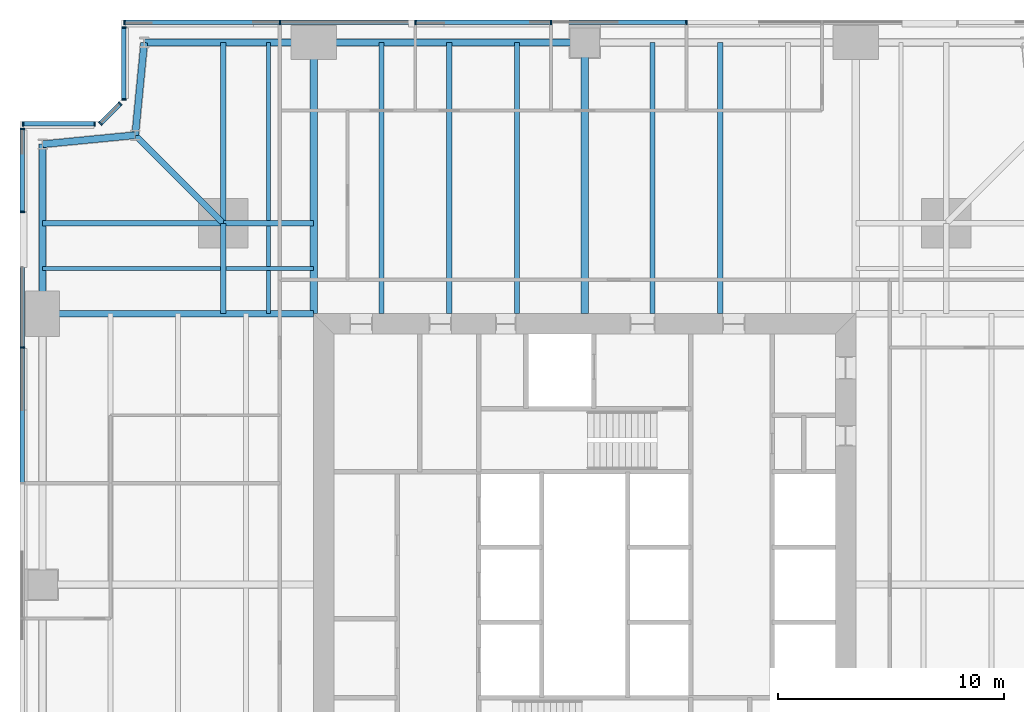
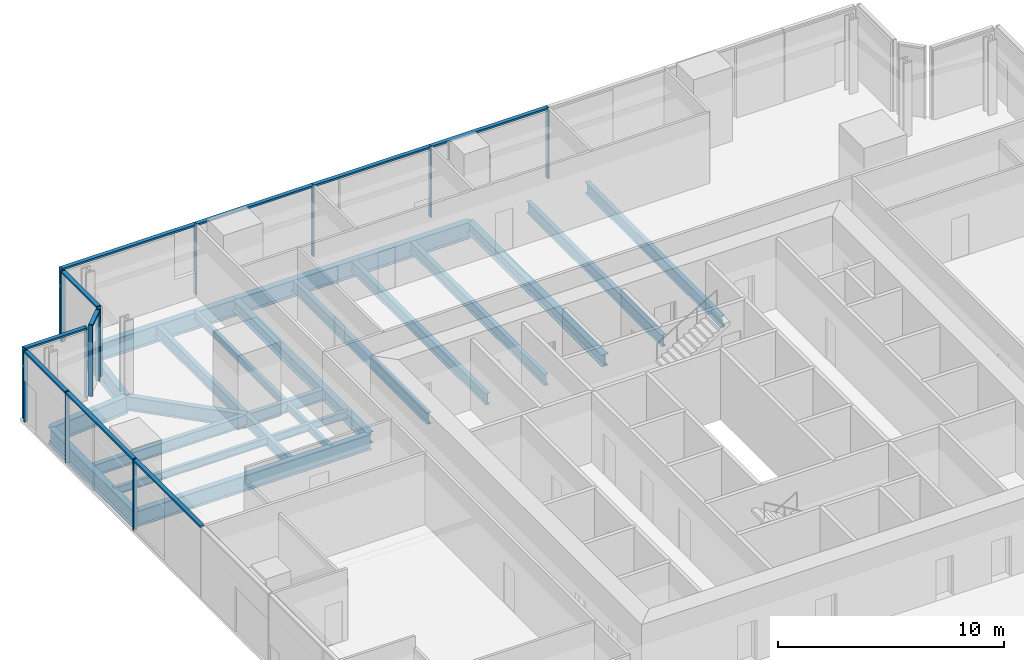
# One storey, part 6 of 13: 24 members, 23 beams, 5 elements without a shape of their own.
"""IFC4 building model written with IfcOpenShell, lengths in metres."""

from ifc_helpers import new_model, si_unit, direction, frame, origin, origin_2d, place, context, subcontext, project, spatial, rectangle, i_section, extrude, material, material_profile, profile_set, type_object, element, aggregate, save


model = new_model("IFC4")

# Units and contexts
model_context = context("Model", 3, precision=1e-05, world=origin(), true_north=direction((0.0, 1.0)))
body_context = subcontext(model_context, "Body", "Model", "MODEL_VIEW")
ifc_project = project(units=[si_unit("LENGTHUNIT", "METRE"), si_unit("AREAUNIT", "SQUARE_METRE"), si_unit("VOLUMEUNIT", "CUBIC_METRE"), si_unit("PLANEANGLEUNIT", "RADIAN"), si_unit("MASSUNIT", "GRAM", prefix="KILO")], contexts=[model_context])

# Site, building, storey
site_placement = place(None, origin())
site = spatial("IfcSite", under=ifc_project, at=site_placement, CompositionType="ELEMENT")
building_placement = place(site_placement, origin())
building = spatial("IfcBuilding", under=site, at=building_placement, Name="Fenwick Lantern Interchange", CompositionType="ELEMENT")
storey_placement = place(building_placement, frame((0.0, 0.0, 138.39990234375)))
storey = spatial("IfcBuildingStorey", under=building, at=storey_placement, Name="L32", CompositionType="ELEMENT", Elevation=138.39990234375)

# Beams
ifc_material_1 = material(Name="Steel ASTM A992 Grade 50", Category="steel")
ifc_material_profile_1 = material_profile(ifc_material_1, i_section(OverallWidth=0.3046875, OverallDepth=0.911865234375, WebThickness=0.015869140625, FlangeThickness=0.02392578125, at=origin_2d()), Name="W36X150")
ifc_profile_set_1 = profile_set([ifc_material_profile_1], Name="Steel ASTM A992 Grade 50")
beam_type_1 = type_object("IfcBeamType", Name="EDGE BEAM W36X150", PredefinedType="SPANDREL", material=ifc_profile_set_1)
beam_1_placement = place(storey_placement, frame((25.0, 49.0, -0.605712890625), z_axis=(-1.0, 0.0, 0.0), x_axis=(0.0, -1.0, 0.0)))
element("IfcBeam", 1, at=beam_1_placement, inside=storey, type_object=beam_type_1, Name="L32/FR/N/EB3", PredefinedType="SPANDREL", context=body_context, shape_type="SweptSolid", body=[
    extrude(i_section(OverallWidth=0.3046875, OverallDepth=0.911865234375, WebThickness=0.015869140625, FlangeThickness=0.02392578125, at=origin_2d()), origin(), (0.0, 0.0, 1.0), 12.0),
])
beam_2_placement = place(storey_placement, frame((13.0, 49.0, -0.605712890625), z_axis=(-1.0, 0.0, 0.0), x_axis=(0.0, -1.0, 0.0)))
element("IfcBeam", 2, at=beam_2_placement, inside=storey, type_object=beam_type_1, Name="L32/FR/N/EB4", PredefinedType="SPANDREL", context=body_context, shape_type="SweptSolid", body=[
    extrude(i_section(OverallWidth=0.3046875, OverallDepth=0.911865234375, WebThickness=0.015869140625, FlangeThickness=0.02392578125, at=origin_2d()), origin(), (0.0, 0.0, 1.0), 7.5),
])
for number, where, z_axis, x_axis, name in (
    (3, (5.5, 49.0, -0.605712890625), (-0.097074191287, -0.995277148028, 0.0), (0.995277148028, -0.097074191287, 0.0), "L32/FR/N/EBR1"),
    (4, (5.10009765625, 44.89990234375, -0.605712890625), (-0.995277148028, -0.097074191287, 0.0), (0.097074191287, -0.995277148028, 0.0), "L32/FR/N/EBR2"),
):
    element("IfcBeam", number, at=place(storey_placement, frame(where, z_axis=z_axis, x_axis=x_axis)), inside=storey, type_object=beam_type_1, Name=name, PredefinedType="SPANDREL", context=body_context, shape_type="SweptSolid", body=[
        extrude(i_section(OverallWidth=0.3046875, OverallDepth=0.911865234375, WebThickness=0.015869140625, FlangeThickness=0.02392578125, at=origin_2d()), origin(), (0.0, 0.0, 1.0), 4.11962890625),
    ])
beam_3_placement = place(storey_placement, frame((1.0, 44.5, -0.605712890625), z_axis=(0.0, -1.0, 0.0), x_axis=(1.0, 0.0, 0.0)))
element("IfcBeam", 5, at=beam_3_placement, inside=storey, type_object=beam_type_1, Name="L32/FR/W/EB1", PredefinedType="SPANDREL", context=body_context, shape_type="SweptSolid", body=[
    extrude(i_section(OverallWidth=0.3046875, OverallDepth=0.911865234375, WebThickness=0.015869140625, FlangeThickness=0.02392578125, at=origin_2d()), origin(), (0.0, 0.0, 1.0), 7.5),
])
ifc_material_profile_2 = material_profile(ifc_material_1, i_section(OverallWidth=0.22900390625, OverallDepth=0.612060546875, WebThickness=0.011962890625, FlangeThickness=0.01953125, at=origin_2d()), Name="W24X84")
ifc_profile_set_2 = profile_set([ifc_material_profile_2], Name="Steel ASTM A992 Grade 50")
beam_type_2 = type_object("IfcBeamType", Name="FLOOR BEAM W24X84", PredefinedType="BEAM", material=ifc_profile_set_2)
for number, where, z_axis, x_axis, name in (
    (6, (31.0, 49.0, -0.4560546875), (0.0, -1.0, 0.0), (1.0, 0.0, 0.0), "L32/FR/N/R03"),
    (7, (28.0, 49.0, -0.4560546875), (0.0, -1.0, 0.0), (1.0, 0.0, 0.0), "L32/FR/N/R04"),
    (8, (22.0, 49.0, -0.4560546875), (0.0, -1.0, 0.0), (1.0, 0.0, 0.0), "L32/FR/N/R06"),
    (9, (19.0, 49.0, -0.4560546875), (0.0, -1.0, 0.0), (1.0, 0.0, 0.0), "L32/FR/N/R07"),
    (10, (16.0, 49.0, -0.4560546875), (0.0, -1.0, 0.0), (1.0, 0.0, 0.0), "L32/FR/N/R08"),
):
    element("IfcBeam", number, at=place(storey_placement, frame(where, z_axis=z_axis, x_axis=x_axis)), inside=storey, type_object=beam_type_2, Name=name, PredefinedType="BEAM", context=body_context, shape_type="SweptSolid", body=[
        extrude(i_section(OverallWidth=0.22900390625, OverallDepth=0.612060546875, WebThickness=0.011962890625, FlangeThickness=0.01953125, at=origin_2d()), origin(), (0.0, 0.0, 1.0), 12.0),
    ])
ifc_material_profile_3 = material_profile(ifc_material_1, i_section(OverallWidth=0.177734375, OverallDepth=0.406494140625, WebThickness=0.0078125, FlangeThickness=0.012939453125, at=origin_2d()), Name="W16X40")
ifc_profile_set_3 = profile_set([ifc_material_profile_3], Name="Steel ASTM A992 Grade 50")
beam_type_3 = type_object("IfcBeamType", Name="INFILL BEAM W16X40", PredefinedType="JOIST", material=ifc_profile_set_3)
beam_4_placement = place(storey_placement, frame((1.0, 39.0, -0.35302734375), z_axis=(1.0, 0.0, 0.0), x_axis=(0.0, 1.0, 0.0)))
element("IfcBeam", 11, at=beam_4_placement, inside=storey, type_object=beam_type_3, Name="L32/FR/W/J1", PredefinedType="JOIST", context=body_context, shape_type="SweptSolid", body=[
    extrude(i_section(OverallWidth=0.177734375, OverallDepth=0.406494140625, WebThickness=0.0078125, FlangeThickness=0.012939453125, at=origin_2d()), origin(), (0.0, 0.0, 1.0), 7.885498046875),
])
beam_5_placement = place(storey_placement, frame((9.114501953125, 39.0, -0.35302734375), z_axis=(1.0, 0.0, 0.0), x_axis=(0.0, 1.0, 0.0)))
element("IfcBeam", 12, at=beam_5_placement, inside=storey, type_object=beam_type_3, Name="L32/FR/W/J2", PredefinedType="JOIST", context=body_context, shape_type="SweptSolid", body=[
    extrude(i_section(OverallWidth=0.177734375, OverallDepth=0.406494140625, WebThickness=0.0078125, FlangeThickness=0.012939453125, at=origin_2d()), origin(), (0.0, 0.0, 1.0), 3.885498046875),
])
beam_6_placement = place(storey_placement, frame((11.0, 49.0, -0.35302734375), z_axis=(0.0, -1.0, 0.0), x_axis=(1.0, 0.0, 0.0)))
element("IfcBeam", 13, at=beam_6_placement, inside=storey, type_object=beam_type_3, Name="L32/FR/W/J3", PredefinedType="JOIST", context=body_context, shape_type="SweptSolid", body=[
    extrude(i_section(OverallWidth=0.177734375, OverallDepth=0.406494140625, WebThickness=0.0078125, FlangeThickness=0.012939453125, at=origin_2d()), origin(), (0.0, 0.0, 1.0), 7.885498046875),
])
beam_7_placement = place(storey_placement, frame((11.0, 40.885498046875, -0.35302734375), z_axis=(0.0, -1.0, 0.0), x_axis=(1.0, 0.0, 0.0)))
element("IfcBeam", 14, at=beam_7_placement, inside=storey, type_object=beam_type_3, Name="L32/FR/W/J4", PredefinedType="JOIST", context=body_context, shape_type="SweptSolid", body=[
    extrude(i_section(OverallWidth=0.177734375, OverallDepth=0.406494140625, WebThickness=0.0078125, FlangeThickness=0.012939453125, at=origin_2d()), origin(), (0.0, 0.0, 1.0), 1.796630859375),
])
beam_8_placement = place(storey_placement, frame((11.0, 38.9111328125, -0.35302734375), z_axis=(0.0, -1.0, 0.0), x_axis=(1.0, 0.0, 0.0)))
element("IfcBeam", 15, at=beam_8_placement, inside=storey, type_object=beam_type_3, Name="L32/FR/W/J5", PredefinedType="JOIST", context=body_context, shape_type="SweptSolid", body=[
    extrude(i_section(OverallWidth=0.177734375, OverallDepth=0.406494140625, WebThickness=0.0078125, FlangeThickness=0.012939453125, at=origin_2d()), origin(), (0.0, 0.0, 1.0), 1.9111328125),
])
ifc_material_profile_4 = material_profile(ifc_material_1, i_section(OverallWidth=0.22900390625, OverallDepth=0.612060546875, WebThickness=0.011962890625, FlangeThickness=0.01953125, at=origin_2d()), Name="W24X84")
ifc_profile_set_4 = profile_set([ifc_material_profile_4], Name="Steel ASTM A992 Grade 50")
beam_type_4 = type_object("IfcBeamType", Name="MEGA COLUMN BEAM W24X84", PredefinedType="BEAM", material=ifc_profile_set_4)
for number, where, z_axis, x_axis, name in (
    (16, (9.0, 41.0, -0.4560546875), (-1.0, 0.0, 0.0), (0.0, -1.0, 0.0), "L32/FR/W/MB1"),
    (17, (9.0, 41.0, -0.4560546875), (0.0, 1.0, 0.0), (-1.0, 0.0, 0.0), "L32/FR/W/MB2"),
):
    element("IfcBeam", number, at=place(storey_placement, frame(where, z_axis=z_axis, x_axis=x_axis)), inside=storey, type_object=beam_type_4, Name=name, PredefinedType="BEAM", context=body_context, shape_type="SweptSolid", body=[
        extrude(i_section(OverallWidth=0.22900390625, OverallDepth=0.612060546875, WebThickness=0.011962890625, FlangeThickness=0.01953125, at=origin_2d()), origin(), (0.0, 0.0, 1.0), 8.0),
    ])
for number, where, z_axis, x_axis, name in (
    (18, (9.0, 41.0, -0.4560546875), (0.0, -1.0, 0.0), (1.0, 0.0, 0.0), "L32/FR/W/MB3"),
    (19, (9.0, 41.0, -0.4560546875), (1.0, 0.0, 0.0), (0.0, 1.0, 0.0), "L32/FR/W/MB4"),
):
    element("IfcBeam", number, at=place(storey_placement, frame(where, z_axis=z_axis, x_axis=x_axis)), inside=storey, type_object=beam_type_4, Name=name, PredefinedType="BEAM", context=body_context, shape_type="SweptSolid", body=[
        extrude(i_section(OverallWidth=0.22900390625, OverallDepth=0.612060546875, WebThickness=0.011962890625, FlangeThickness=0.01953125, at=origin_2d()), origin(), (0.0, 0.0, 1.0), 4.0),
    ])
ifc_material_profile_5 = material_profile(ifc_material_1, i_section(OverallWidth=0.32763671875, OverallDepth=0.622314453125, WebThickness=0.015380859375, FlangeThickness=0.0244140625, at=origin_2d()), Name="W24X131")
ifc_profile_set_5 = profile_set([ifc_material_profile_5], Name="Steel ASTM A992 Grade 50")
beam_type_5 = type_object("IfcBeamType", Name="MOMENT-CONNECTED GIRDER W24X131", PredefinedType="BEAM", material=ifc_profile_set_5)
for number, where, z_axis, x_axis, name in (
    (20, (25.0, 49.0, -0.4609375), (0.0, -1.0, 0.0), (1.0, 0.0, 0.0), "L32/FR/N/R05"),
    (21, (13.0, 49.0, -0.4609375), (0.0, -1.0, 0.0), (1.0, 0.0, 0.0), "L32/FR/N/R09"),
):
    element("IfcBeam", number, at=place(storey_placement, frame(where, z_axis=z_axis, x_axis=x_axis)), inside=storey, type_object=beam_type_5, Name=name, PredefinedType="BEAM", context=body_context, shape_type="SweptSolid", body=[
        extrude(i_section(OverallWidth=0.32763671875, OverallDepth=0.622314453125, WebThickness=0.015380859375, FlangeThickness=0.0244140625, at=origin_2d()), origin(), (0.0, 0.0, 1.0), 12.0),
    ])
ifc_material_profile_6 = material_profile(ifc_material_1, i_section(OverallWidth=0.2919921875, OverallDepth=0.845703125, WebThickness=0.015380859375, FlangeThickness=0.0244140625, at=origin_2d()), Name="W33X141")
ifc_profile_set_6 = profile_set([ifc_material_profile_6], Name="Steel ASTM A992 Grade 50")
beam_type_6 = type_object("IfcBeamType", Name="MOMENT-CONNECTED GIRDER W33X141", PredefinedType="BEAM", material=ifc_profile_set_6)
beam_9_placement = place(storey_placement, frame((1.0, 37.0, -0.57275390625), z_axis=(1.0, 0.0, 0.0), x_axis=(0.0, 1.0, 0.0)))
element("IfcBeam", 22, at=beam_9_placement, inside=storey, type_object=beam_type_6, Name="L32/FR/W/R01", PredefinedType="BEAM", context=body_context, shape_type="SweptSolid", body=[
    extrude(i_section(OverallWidth=0.2919921875, OverallDepth=0.845703125, WebThickness=0.015380859375, FlangeThickness=0.0244140625, at=origin_2d()), origin(), (0.0, 0.0, 1.0), 12.0),
])
ifc_material_profile_7 = material_profile(ifc_material_1, i_section(OverallWidth=0.2666015625, OverallDepth=0.7568359375, WebThickness=0.013916015625, FlangeThickness=0.019287109375, at=origin_2d()), Name="W30X108")
ifc_profile_set_7 = profile_set([ifc_material_profile_7], Name="Steel ASTM A992 Grade 50")
beam_type_7 = type_object("IfcBeamType", Name="NOTCH BEAM W30X108", PredefinedType="BEAM", material=ifc_profile_set_7)
beam_10_placement = place(storey_placement, frame((9.0, 41.0, -0.5283203125), z_axis=(-0.707106781187, 0.707106781187, 0.0), x_axis=(-0.707106781187, -0.707106781187, 0.0)))
element("IfcBeam", 23, at=beam_10_placement, inside=storey, type_object=beam_type_7, Name="L32/FR/W/TG", PredefinedType="BEAM", context=body_context, shape_type="SweptSolid", body=[
    extrude(i_section(OverallWidth=0.2666015625, OverallDepth=0.7568359375, WebThickness=0.013916015625, FlangeThickness=0.019287109375, at=origin_2d()), origin(), (0.0, 0.0, 1.0), 5.515380859375),
])

# Curtain wall, members
ifc_material_2 = material(Name="Aluminium curtain wall frame", Category="aluminium")
curtain_wall_type = type_object("IfcCurtainWallType", Name="OFFICE CURTAIN WALL", PredefinedType="USERDEFINED", material=ifc_material_2)
curtain_wall_1_placement = place(storey_placement, origin())
curtain_wall_1 = element("IfcCurtainWall", 24, at=curtain_wall_1_placement, inside=storey, type_object=curtain_wall_type, Name="Office curtain wall 09", ObjectType="OFFICE CURTAIN WALL", PredefinedType="USERDEFINED")
ifc_material_3 = material(Name="Aluminium extrusion", Category="aluminium")
ifc_material_profile_8 = material_profile(ifc_material_3, rectangle(XDim=0.199951171875, YDim=0.06494140625, at=origin_2d()), Name="OFFICE CURTAIN WALL MULLION 65 X 200")
ifc_profile_set_8 = profile_set([ifc_material_profile_8], Name="Aluminium extrusion")
member_type_1 = type_object("IfcMemberType", Name="OFFICE CURTAIN WALL MULLION 65 X 200", PredefinedType="MULLION", material=ifc_profile_set_8)
member_1_placement = place(storey_placement, frame((29.5, 49.89990234375, 0.0), z_axis=(0.0, 0.0, 1.0), x_axis=(0.0, -1.0, 0.0)))
member_1 = element("IfcMember", 25, at=member_1_placement, type_object=member_type_1, Name="L32/CW/09/M03", PredefinedType="MULLION", context=body_context, shape_type="SweptSolid", body=[
    extrude(rectangle(XDim=0.199951171875, YDim=0.06494140625, at=origin_2d()), origin(), (0.0, 0.0, 1.0), 3.85009765625),
])
member_2_placement = place(storey_placement, frame((23.5, 49.89990234375, 0.0), z_axis=(0.0, 0.0, 1.0), x_axis=(0.0, -1.0, 0.0)))
member_2 = element("IfcMember", 26, at=member_2_placement, type_object=member_type_1, Name="L32/CW/09/M04", PredefinedType="MULLION", context=body_context, shape_type="SweptSolid", body=[
    extrude(rectangle(XDim=0.199951171875, YDim=0.06494140625, at=origin_2d()), origin(), (0.0, 0.0, 1.0), 3.85009765625),
])
member_3_placement = place(storey_placement, frame((17.5, 49.89990234375, 0.0), z_axis=(0.0, 0.0, 1.0), x_axis=(0.0, -1.0, 0.0)))
member_3 = element("IfcMember", 27, at=member_3_placement, type_object=member_type_1, Name="L32/CW/09/M05", PredefinedType="MULLION", context=body_context, shape_type="SweptSolid", body=[
    extrude(rectangle(XDim=0.199951171875, YDim=0.06494140625, at=origin_2d()), origin(), (0.0, 0.0, 1.0), 3.85009765625),
])
member_4_placement = place(storey_placement, frame((11.5, 49.89990234375, 0.0), z_axis=(0.0, 0.0, 1.0), x_axis=(0.0, -1.0, 0.0)))
member_4 = element("IfcMember", 28, at=member_4_placement, type_object=member_type_1, Name="L32/CW/09/M06", PredefinedType="MULLION", context=body_context, shape_type="SweptSolid", body=[
    extrude(rectangle(XDim=0.199951171875, YDim=0.06494140625, at=origin_2d()), origin(), (0.0, 0.0, 1.0), 3.85009765625),
])
member_5_placement = place(storey_placement, frame((4.632568359375, 49.89990234375, 0.0), z_axis=(0.0, 0.0, 1.0), x_axis=(0.0, -1.0, 0.0)))
member_5 = element("IfcMember", 29, at=member_5_placement, type_object=member_type_1, Name="L32/CW/09/M07", PredefinedType="MULLION", context=body_context, shape_type="SweptSolid", body=[
    extrude(rectangle(XDim=0.199951171875, YDim=0.06494140625, at=origin_2d()), origin(), (0.0, 0.0, 1.0), 3.85009765625),
])

curtain_wall_2_placement = place(storey_placement, origin())
curtain_wall_2 = element("IfcCurtainWall", 30, at=curtain_wall_2_placement, inside=storey, type_object=curtain_wall_type, Name="Office curtain wall 10", ObjectType="OFFICE CURTAIN WALL", PredefinedType="USERDEFINED")
member_6_placement = place(storey_placement, frame((4.60009765625, 49.66748046875, 0.0), z_axis=(0.0, 0.0, 1.0), x_axis=(1.0, 0.0, 0.0)))
member_6 = element("IfcMember", 31, at=member_6_placement, type_object=member_type_1, Name="L32/CW/10/M00", PredefinedType="MULLION", context=body_context, shape_type="SweptSolid", body=[
    extrude(rectangle(XDim=0.199951171875, YDim=0.06494140625, at=origin_2d()), origin(), (0.0, 0.0, 1.0), 3.85009765625),
])
member_7_placement = place(storey_placement, frame((4.60009765625, 46.490966796875, 0.0), z_axis=(0.0, 0.0, 1.0), x_axis=(1.0, 0.0, 0.0)))
member_7 = element("IfcMember", 32, at=member_7_placement, type_object=member_type_1, Name="L32/CW/10/M01", PredefinedType="MULLION", context=body_context, shape_type="SweptSolid", body=[
    extrude(rectangle(XDim=0.199951171875, YDim=0.06494140625, at=origin_2d()), origin(), (0.0, 0.0, 1.0), 3.85009765625),
])

curtain_wall_3_placement = place(storey_placement, origin())
curtain_wall_3 = element("IfcCurtainWall", 33, at=curtain_wall_3_placement, inside=storey, type_object=curtain_wall_type, Name="Office curtain wall 11", ObjectType="OFFICE CURTAIN WALL", PredefinedType="USERDEFINED")
member_8_placement = place(storey_placement, frame((4.435546875, 46.294189453125, 0.0), z_axis=(0.0, 0.0, 1.0), x_axis=(0.707106781187, -0.707106781187, 0.0)))
member_8 = element("IfcMember", 34, at=member_8_placement, type_object=member_type_1, Name="L32/CW/11/M00", PredefinedType="MULLION", context=body_context, shape_type="SweptSolid", body=[
    extrude(rectangle(XDim=0.199951171875, YDim=0.06494140625, at=origin_2d()), origin(), (0.0, 0.0, 1.0), 3.85009765625),
])
member_9_placement = place(storey_placement, frame((3.564453125, 45.423095703125, 0.0), z_axis=(0.0, 0.0, 1.0), x_axis=(0.707106781187, -0.707106781187, 0.0)))
member_9 = element("IfcMember", 35, at=member_9_placement, type_object=member_type_1, Name="L32/CW/11/M01", PredefinedType="MULLION", context=body_context, shape_type="SweptSolid", body=[
    extrude(rectangle(XDim=0.199951171875, YDim=0.06494140625, at=origin_2d()), origin(), (0.0, 0.0, 1.0), 3.85009765625),
])

curtain_wall_4_placement = place(storey_placement, origin())
curtain_wall_4 = element("IfcCurtainWall", 36, at=curtain_wall_4_placement, inside=storey, type_object=curtain_wall_type, Name="Office curtain wall 12", ObjectType="OFFICE CURTAIN WALL", PredefinedType="USERDEFINED")
member_10_placement = place(storey_placement, frame((3.308837890625, 45.39990234375, 0.0), z_axis=(0.0, 0.0, 1.0), x_axis=(0.0, -1.0, 0.0)))
member_10 = element("IfcMember", 37, at=member_10_placement, type_object=member_type_1, Name="L32/CW/12/M00", PredefinedType="MULLION", context=body_context, shape_type="SweptSolid", body=[
    extrude(rectangle(XDim=0.199951171875, YDim=0.06494140625, at=origin_2d()), origin(), (0.0, 0.0, 1.0), 3.85009765625),
])
member_11_placement = place(storey_placement, frame((0.132568359375, 45.39990234375, 0.0), z_axis=(0.0, 0.0, 1.0), x_axis=(0.0, -1.0, 0.0)))
member_11 = element("IfcMember", 38, at=member_11_placement, type_object=member_type_1, Name="L32/CW/12/M01", PredefinedType="MULLION", context=body_context, shape_type="SweptSolid", body=[
    extrude(rectangle(XDim=0.199951171875, YDim=0.06494140625, at=origin_2d()), origin(), (0.0, 0.0, 1.0), 3.85009765625),
])

curtain_wall_5_placement = place(storey_placement, origin())
curtain_wall_5 = element("IfcCurtainWall", 39, at=curtain_wall_5_placement, inside=storey, type_object=curtain_wall_type, Name="Office curtain wall 13", ObjectType="OFFICE CURTAIN WALL", PredefinedType="USERDEFINED")
member_12_placement = place(storey_placement, frame((0.10009765625, 45.16748046875, 0.0), z_axis=(0.0, 0.0, 1.0), x_axis=(1.0, 0.0, 0.0)))
member_12 = element("IfcMember", 40, at=member_12_placement, type_object=member_type_1, Name="L32/CW/13/M00", PredefinedType="MULLION", context=body_context, shape_type="SweptSolid", body=[
    extrude(rectangle(XDim=0.199951171875, YDim=0.06494140625, at=origin_2d()), origin(), (0.0, 0.0, 1.0), 3.85009765625),
])
member_13_placement = place(storey_placement, frame((0.10009765625, 41.5, 0.0), z_axis=(0.0, 0.0, 1.0), x_axis=(1.0, 0.0, 0.0)))
member_13 = element("IfcMember", 41, at=member_13_placement, type_object=member_type_1, Name="L32/CW/13/M01", PredefinedType="MULLION", context=body_context, shape_type="SweptSolid", body=[
    extrude(rectangle(XDim=0.199951171875, YDim=0.06494140625, at=origin_2d()), origin(), (0.0, 0.0, 1.0), 3.85009765625),
])
member_14_placement = place(storey_placement, frame((0.10009765625, 35.5, 0.0), z_axis=(0.0, 0.0, 1.0), x_axis=(1.0, 0.0, 0.0)))
member_14 = element("IfcMember", 42, at=member_14_placement, type_object=member_type_1, Name="L32/CW/13/M02", PredefinedType="MULLION", context=body_context, shape_type="SweptSolid", body=[
    extrude(rectangle(XDim=0.199951171875, YDim=0.06494140625, at=origin_2d()), origin(), (0.0, 0.0, 1.0), 3.85009765625),
])

# Member
ifc_material_profile_9 = material_profile(ifc_material_3, rectangle(XDim=0.199951171875, YDim=0.10009765625, at=origin_2d()), Name="OFFICE CURTAIN WALL TRANSOM 100 X 200")
ifc_profile_set_9 = profile_set([ifc_material_profile_9], Name="Aluminium extrusion")
member_type_2 = type_object("IfcMemberType", Name="OFFICE CURTAIN WALL TRANSOM 100 X 200", PredefinedType="MULLION", material=ifc_profile_set_9)
member_15_placement = place(storey_placement, frame((29.467529296875, 49.89990234375, 3.800048828125), z_axis=(-1.0, 0.0, 0.0), x_axis=(0.0, -1.0, 0.0)))
member_15 = element("IfcMember", 43, at=member_15_placement, type_object=member_type_2, Name="L32/CW/09/T03", PredefinedType="MULLION", context=body_context, shape_type="SweptSolid", body=[
    extrude(rectangle(XDim=0.199951171875, YDim=0.10009765625, at=origin_2d()), origin(), (0.0, 0.0, 1.0), 5.93505859375),
])

member_16_placement = place(storey_placement, frame((23.467529296875, 49.89990234375, 3.800048828125), z_axis=(-1.0, 0.0, 0.0), x_axis=(0.0, -1.0, 0.0)))
member_16 = element("IfcMember", 44, at=member_16_placement, type_object=member_type_2, Name="L32/CW/09/T04", PredefinedType="MULLION", context=body_context, shape_type="SweptSolid", body=[
    extrude(rectangle(XDim=0.199951171875, YDim=0.10009765625, at=origin_2d()), origin(), (0.0, 0.0, 1.0), 5.93505859375),
])

member_17_placement = place(storey_placement, frame((17.467529296875, 49.89990234375, 3.800048828125), z_axis=(-1.0, 0.0, 0.0), x_axis=(0.0, -1.0, 0.0)))
member_17 = element("IfcMember", 45, at=member_17_placement, type_object=member_type_2, Name="L32/CW/09/T05", PredefinedType="MULLION", context=body_context, shape_type="SweptSolid", body=[
    extrude(rectangle(XDim=0.199951171875, YDim=0.10009765625, at=origin_2d()), origin(), (0.0, 0.0, 1.0), 5.93505859375),
])

member_18_placement = place(storey_placement, frame((11.467529296875, 49.89990234375, 3.800048828125), z_axis=(-1.0, 0.0, 0.0), x_axis=(0.0, -1.0, 0.0)))
member_18 = element("IfcMember", 46, at=member_18_placement, type_object=member_type_2, Name="L32/CW/09/T06", PredefinedType="MULLION", context=body_context, shape_type="SweptSolid", body=[
    extrude(rectangle(XDim=0.199951171875, YDim=0.10009765625, at=origin_2d()), origin(), (0.0, 0.0, 1.0), 6.802490234375),
])

aggregate(curtain_wall_1, [member_1, member_2, member_3, member_4, member_5, member_15, member_16, member_17, member_18])

member_19_placement = place(storey_placement, frame((4.60009765625, 49.635009765625, 3.800048828125), z_axis=(0.0, -1.0, 0.0), x_axis=(1.0, 0.0, 0.0)))
member_19 = element("IfcMember", 47, at=member_19_placement, type_object=member_type_2, Name="L32/CW/10/T00", PredefinedType="MULLION", context=body_context, shape_type="SweptSolid", body=[
    extrude(rectangle(XDim=0.199951171875, YDim=0.10009765625, at=origin_2d()), origin(), (0.0, 0.0, 1.0), 3.111328125),
])

aggregate(curtain_wall_2, [member_6, member_7, member_19])

member_20_placement = place(storey_placement, frame((4.41259765625, 46.271240234375, 3.800048828125), z_axis=(-0.707106781187, -0.707106781187, 0.0), x_axis=(0.707106781187, -0.707106781187, 0.0)))
member_20 = element("IfcMember", 48, at=member_20_placement, type_object=member_type_2, Name="L32/CW/11/T00", PredefinedType="MULLION", context=body_context, shape_type="SweptSolid", body=[
    extrude(rectangle(XDim=0.199951171875, YDim=0.10009765625, at=origin_2d()), origin(), (0.0, 0.0, 1.0), 1.1669921875),
])

aggregate(curtain_wall_3, [member_8, member_9, member_20])

member_21_placement = place(storey_placement, frame((3.2763671875, 45.39990234375, 3.800048828125), z_axis=(-1.0, 0.0, 0.0), x_axis=(0.0, -1.0, 0.0)))
member_21 = element("IfcMember", 49, at=member_21_placement, type_object=member_type_2, Name="L32/CW/12/T00", PredefinedType="MULLION", context=body_context, shape_type="SweptSolid", body=[
    extrude(rectangle(XDim=0.199951171875, YDim=0.10009765625, at=origin_2d()), origin(), (0.0, 0.0, 1.0), 3.111328125),
])

aggregate(curtain_wall_4, [member_10, member_11, member_21])

member_22_placement = place(storey_placement, frame((0.10009765625, 45.135009765625, 3.800048828125), z_axis=(0.0, -1.0, 0.0), x_axis=(1.0, 0.0, 0.0)))
member_22 = element("IfcMember", 50, at=member_22_placement, type_object=member_type_2, Name="L32/CW/13/T00", PredefinedType="MULLION", context=body_context, shape_type="SweptSolid", body=[
    extrude(rectangle(XDim=0.199951171875, YDim=0.10009765625, at=origin_2d()), origin(), (0.0, 0.0, 1.0), 3.6025390625),
])

member_23_placement = place(storey_placement, frame((0.10009765625, 41.467529296875, 3.800048828125), z_axis=(0.0, -1.0, 0.0), x_axis=(1.0, 0.0, 0.0)))
member_23 = element("IfcMember", 51, at=member_23_placement, type_object=member_type_2, Name="L32/CW/13/T01", PredefinedType="MULLION", context=body_context, shape_type="SweptSolid", body=[
    extrude(rectangle(XDim=0.199951171875, YDim=0.10009765625, at=origin_2d()), origin(), (0.0, 0.0, 1.0), 5.93505859375),
])

member_24_placement = place(storey_placement, frame((0.10009765625, 35.467529296875, 3.800048828125), z_axis=(0.0, -1.0, 0.0), x_axis=(1.0, 0.0, 0.0)))
member_24 = element("IfcMember", 52, at=member_24_placement, type_object=member_type_2, Name="L32/CW/13/T02", PredefinedType="MULLION", context=body_context, shape_type="SweptSolid", body=[
    extrude(rectangle(XDim=0.199951171875, YDim=0.10009765625, at=origin_2d()), origin(), (0.0, 0.0, 1.0), 5.93505859375),
])

aggregate(curtain_wall_5, [member_12, member_13, member_14, member_22, member_23, member_24])

save(model, "model.ifc")
